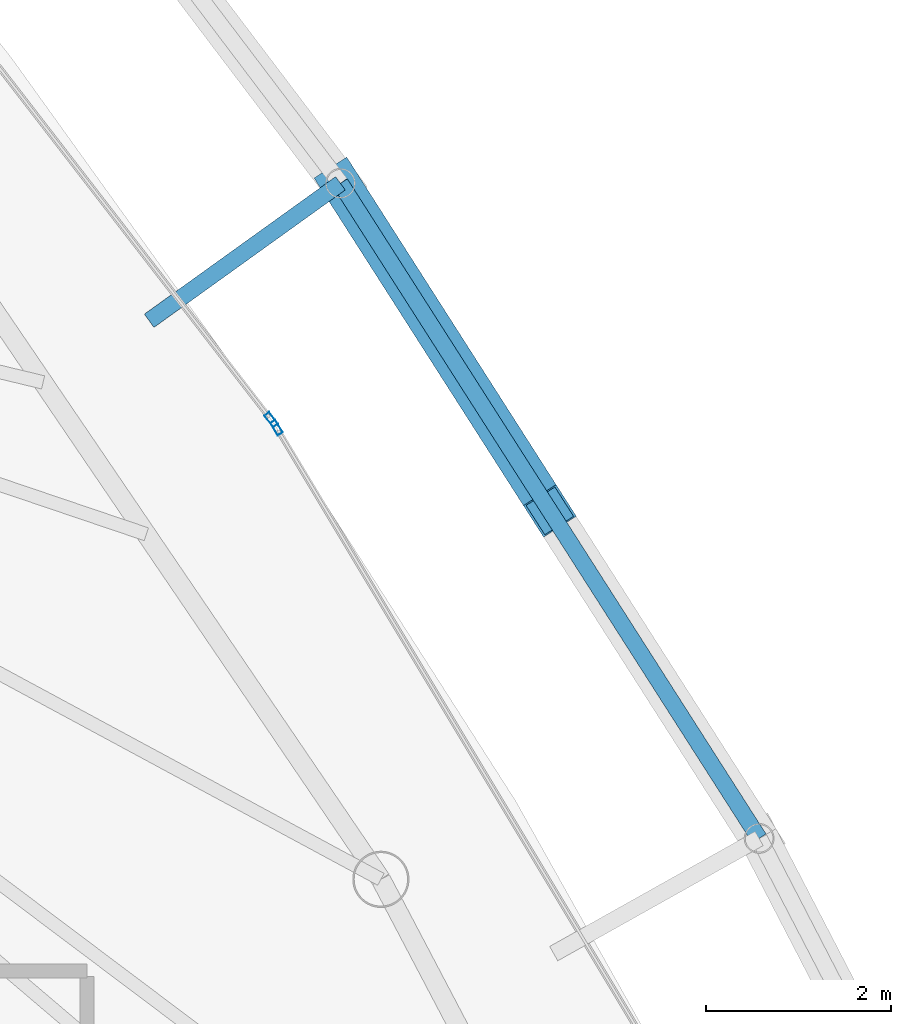
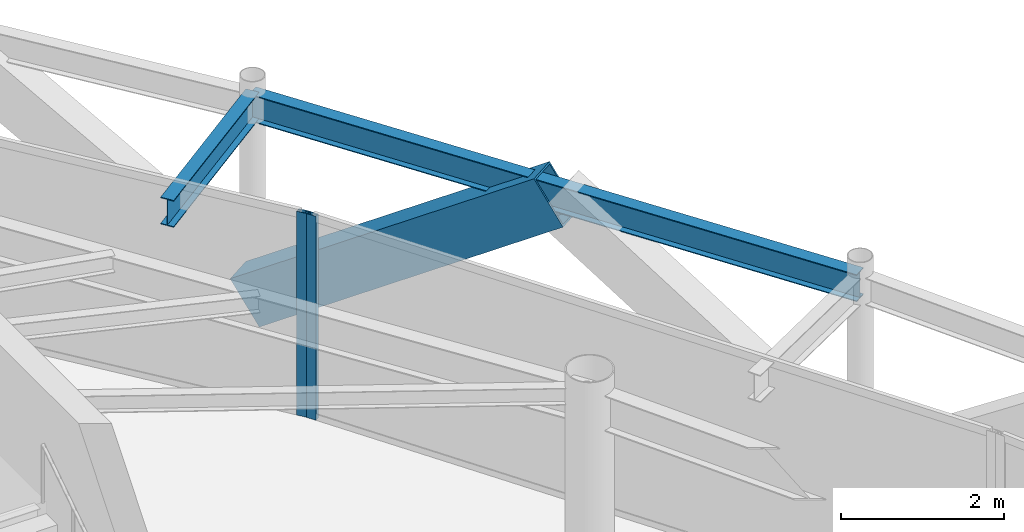
# One storey, part 19 of 30: 3 members, 2 beams, 2 elements without a shape of their own.
"""IFC4 building model written with IfcOpenShell, lengths in metres."""

from ifc_helpers import new_model, si_unit, direction, frame, origin, origin_2d, place, context, subcontext, project, spatial, hollow_rectangle, i_section, extrude, material, layer, layer_set, material_profile, profile_set, type_object, element, aggregate, save


model = new_model("IFC4")

# Units and contexts
model_context = context("Model", 3, precision=1e-05, world=origin(), true_north=direction((0.0, 1.0)))
body_context = subcontext(model_context, "Body", "Model", "MODEL_VIEW")
ifc_project = project(units=[si_unit("LENGTHUNIT", "METRE"), si_unit("AREAUNIT", "SQUARE_METRE"), si_unit("VOLUMEUNIT", "CUBIC_METRE"), si_unit("PLANEANGLEUNIT", "RADIAN"), si_unit("MASSUNIT", "GRAM", prefix="KILO")], contexts=[model_context])

# Site, building, storey
site_placement = place(None, origin())
site = spatial("IfcSite", under=ifc_project, at=site_placement, CompositionType="ELEMENT")
building_placement = place(site_placement, origin())
building = spatial("IfcBuilding", under=site, at=building_placement, Name="Orvanel Arch Residences", CompositionType="ELEMENT")
storey_placement = place(building_placement, frame((0.0, 0.0, 240.35009765625)))
storey = spatial("IfcBuildingStorey", under=building, at=storey_placement, Name="L68", CompositionType="ELEMENT", Elevation=240.35009765625)

# Member
ifc_material_1 = material(Name="Structural steel AS/NZS 3678 Grade 350", Category="steel")
ifc_material_profile_1 = material_profile(ifc_material_1, hollow_rectangle(XDim=0.419921875, YDim=0.719970703125, WallThickness=0.02490234375, at=origin_2d()), Name="RHS720x420x25")
ifc_profile_set_1 = profile_set([ifc_material_profile_1], Name="Structural steel AS/NZS 3678 Grade 350")
member_type_1 = type_object("IfcMemberType", Name="BR-720RHS-EXT", PredefinedType="BRACE", material=ifc_profile_set_1)
member_1_placement = place(storey_placement, frame((44.992919921875, 35.176025390625, 0.0), z_axis=(0.445669245413, -0.697108097096, 0.561621958844), x_axis=(0.842534663719, 0.538642126492, 0.0)))
element("IfcMember", 1, at=member_1_placement, inside=storey, type_object=member_type_1, Name="L68 Exterior Sky-Garden V-Frame Chevron F3B2.2", PredefinedType="BRACE", context=body_context, shape_type="SweptSolid", body=[
    extrude(hollow_rectangle(XDim=0.419921875, YDim=0.719970703125, WallThickness=0.02490234375, at=origin_2d()), origin(), (0.0, 0.0, 1.0), 5.0869140625),
])

# Curtain wall, member
ifc_material_2 = material(Name="Bronze-anodised aluminium AA6063-T6", Category="aluminium")
ifc_layer = layer(ifc_material_2, 0.175048828125)
ifc_layer_set = layer_set([ifc_layer], Name="Bronze-anodised aluminium AA6063-T6")
curtain_wall_type = type_object("IfcCurtainWallType", Name="CW4-HI-SYS", PredefinedType="NOTDEFINED", material=ifc_layer_set)
curtain_wall_1_placement = place(storey_placement, origin())
curtain_wall_1 = element("IfcCurtainWall", 2, at=curtain_wall_1_placement, inside=storey, type_object=curtain_wall_type, Name="L68 CW4-HI-SYS Unitised Curtain Wall", PredefinedType="NOTDEFINED")
ifc_material_profile_2 = material_profile(ifc_material_2, hollow_rectangle(XDim=0.06494140625, YDim=0.159912109375, WallThickness=0.00390625, at=origin_2d()), Name="ALU160x65x4")
ifc_profile_set_2 = profile_set([ifc_material_profile_2], Name="Bronze-anodised aluminium AA6063-T6")
member_type_2 = type_object("IfcMemberType", Name="MUL-160x65", PredefinedType="MULLION", material=ifc_profile_set_2)
member_2_placement = place(storey_placement, frame((44.3017578125, 32.53125, 0.0), z_axis=(0.0, 0.0, 1.0), x_axis=(-0.857511192375, -0.514465309766, 0.0)))
member_2 = element("IfcMember", 3, at=member_2_placement, type_object=member_type_2, Name="CW-S4 mullion 2", PredefinedType="MULLION", context=body_context, shape_type="SweptSolid", body=[
    extrude(hollow_rectangle(XDim=0.06494140625, YDim=0.159912109375, WallThickness=0.00390625, at=origin_2d()), origin(), (0.0, 0.0, 1.0), 3.059814453125),
])
aggregate(curtain_wall_1, [member_2])

curtain_wall_2_placement = place(storey_placement, origin())
curtain_wall_2 = element("IfcCurtainWall", 4, at=curtain_wall_2_placement, inside=storey, type_object=curtain_wall_type, Name="L68 CW4-HI-SYS Unitised Curtain Wall", PredefinedType="NOTDEFINED")
member_3_placement = place(storey_placement, frame((44.2431640625, 32.61767578125, 0.0), z_axis=(0.0, 0.0, 1.0), x_axis=(-0.791477630276, -0.611198135446, 0.0)))
member_3 = element("IfcMember", 5, at=member_3_placement, type_object=member_type_2, Name="CW-S4 mullion 1", PredefinedType="MULLION", context=body_context, shape_type="SweptSolid", body=[
    extrude(hollow_rectangle(XDim=0.06494140625, YDim=0.159912109375, WallThickness=0.00390625, at=origin_2d()), origin(), (0.0, 0.0, 1.0), 3.059814453125),
])
aggregate(curtain_wall_2, [member_3])

# Beams
ifc_material_3 = material(Name="Structural steel AS/NZS 3679.1 Grade 300 (300 MPa)", Category="steel")
ifc_material_profile_3 = material_profile(ifc_material_3, i_section(OverallWidth=0.177978515625, OverallDepth=0.406005859375, WebThickness=0.0078125, FlangeThickness=0.0126953125, at=origin_2d()), Name="410UB59.7")
ifc_profile_set_3 = profile_set([ifc_material_profile_3], Name="Structural steel AS/NZS 3679.1 Grade 300 (300 MPa)")
beam_type = type_object("IfcBeamType", Name="OB-410UB-EXT", PredefinedType="SPANDREL", material=ifc_profile_set_3)
beam_1_placement = place(storey_placement, frame((49.52587890625, 28.083984375, 2.85693359375), z_axis=(-0.538552335744, 0.84259206124, 0.0), x_axis=(-0.84259206124, -0.538552335744, 0.0)))
element("IfcBeam", 6, at=beam_1_placement, inside=storey, type_object=beam_type, Name="L68 Outer Perimeter Floor Ring Beam 10", PredefinedType="SPANDREL", context=body_context, shape_type="SweptSolid", body=[
    extrude(i_section(OverallWidth=0.177978515625, OverallDepth=0.406005859375, WebThickness=0.0078125, FlangeThickness=0.0126953125, at=origin_2d()), origin(), (0.0, 0.0, 1.0), 8.4169921875),
])
beam_2_placement = place(storey_placement, frame((42.922119140625, 33.68798828125, 2.85693359375), z_axis=(0.81208059142, 0.583545296476, 0.0), x_axis=(-0.583545296476, 0.81208059142, 0.0)))
element("IfcBeam", 7, at=beam_2_placement, inside=storey, type_object=beam_type, Name="L68 Outer Frame Radial Tie Beam 11", PredefinedType="SPANDREL", context=body_context, shape_type="SweptSolid", body=[
    extrude(i_section(OverallWidth=0.177978515625, OverallDepth=0.406005859375, WebThickness=0.0078125, FlangeThickness=0.0126953125, at=origin_2d()), origin(), (0.0, 0.0, 1.0), 2.550048828125),
])

save(model, "model.ifc")
